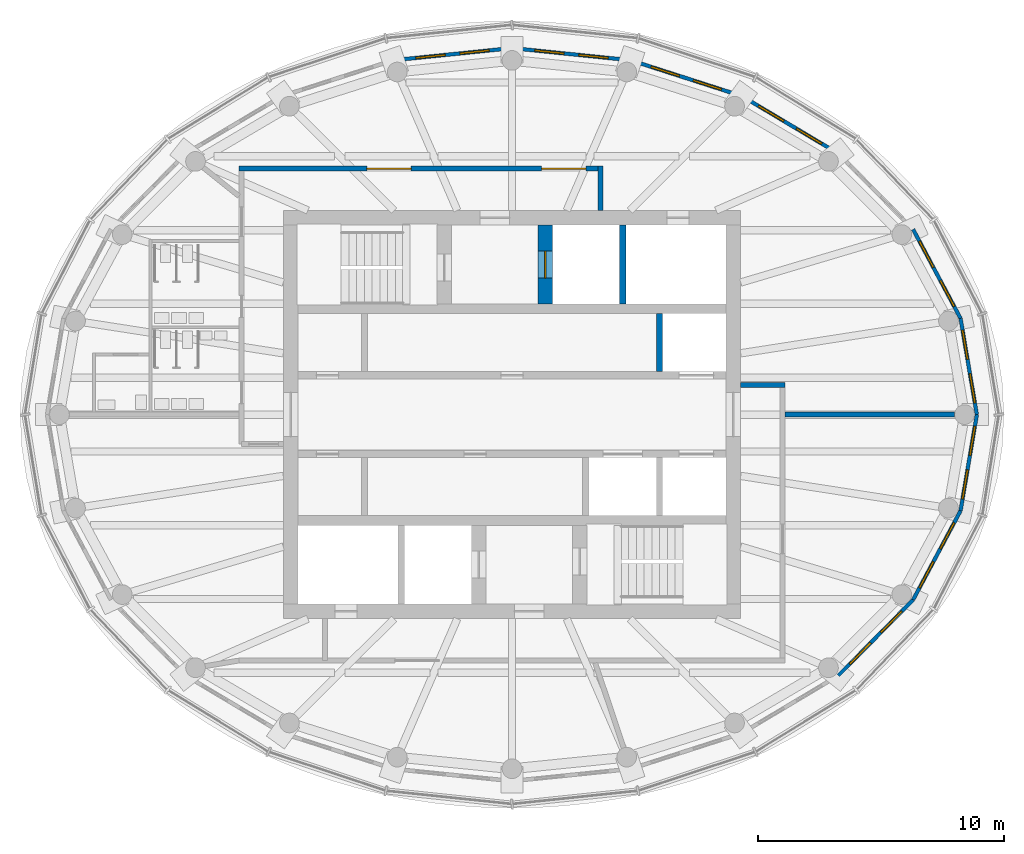
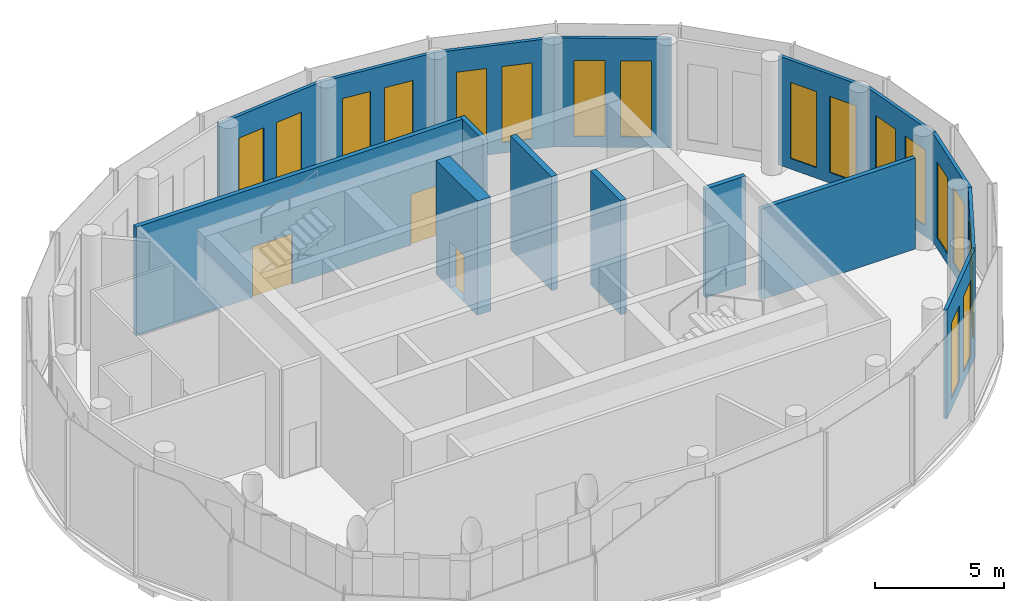
# One storey, part 7 of 11: 18 windows, 16 walls, 3 doors, 21 openings.
"""IFC4 building model written with IfcOpenShell, lengths in metres."""

from ifc_helpers import new_model, si_unit, direction, frame, frame_2d, origin, place, context, subcontext, project, spatial, rectangle, extrude, material, layer, layer_set, type_object, element, fill, save


model = new_model("IFC4")

# Units and contexts
model_context = context("Model", 3, precision=1e-05, world=origin(), true_north=direction((0.0, 1.0)))
body_context = subcontext(model_context, "Body", "Model", "MODEL_VIEW")
ifc_project = project(units=[si_unit("LENGTHUNIT", "METRE"), si_unit("AREAUNIT", "SQUARE_METRE"), si_unit("VOLUMEUNIT", "CUBIC_METRE"), si_unit("PLANEANGLEUNIT", "RADIAN"), si_unit("MASSUNIT", "GRAM", prefix="KILO")], contexts=[model_context])

# Site, building, storey
site_placement = place(None, origin())
site = spatial("IfcSite", under=ifc_project, at=site_placement, CompositionType="ELEMENT")
building_placement = place(site_placement, origin())
building = spatial("IfcBuilding", under=site, at=building_placement, Name="Hankou Lantern Tower", CompositionType="ELEMENT")
storey_placement = place(building_placement, frame((0.0, 0.0, 237.300048828125)))
storey = spatial("IfcBuildingStorey", under=building, at=storey_placement, Name="L64", CompositionType="ELEMENT", Elevation=237.300048828125)

# Wall, opening, door
ifc_material_1 = material(Name="Concrete C60", Category="concrete")
ifc_layer_1 = layer(ifc_material_1, 0.60009765625)
ifc_layer_set_1 = layer_set([ifc_layer_1], Name="Concrete C60")
wall_type_1 = type_object("IfcWallType", Name="CW6 STAIR AND SHAFT WALL 600", PredefinedType="SHEAR", material=ifc_layer_set_1)
wall_1_placement = place(storey_placement, frame((1.35009765625, 4.5, 0.0), z_axis=(0.0, 0.0, 1.0), x_axis=(0.0, 1.0, 0.0)))
wall_1 = element("IfcWall", 1, at=wall_1_placement, inside=storey, type_object=wall_type_1, Name="Firefighting lift shaft wall L64", PredefinedType="SHEAR", context=body_context, shape_type="SweptSolid", body=[
    extrude(rectangle(XDim=3.199951171875, YDim=0.60009765625, at=frame_2d((1.60009765625, 0.0))), origin(), (0.0, 0.0, 1.0), 5.39990234375),
])
opening_1_placement = place(wall_1_placement, frame((1.050048828125, 0.0, 0.0)))
opening_1 = element("IfcOpeningElement", 2, at=opening_1_placement, cuts=wall_1, Name="Opening LD2", PredefinedType="OPENING", context=body_context, shape_type="SweptSolid", body=[
    extrude(rectangle(XDim=1.10009765625, YDim=2.199951171875, at=frame_2d((0.550048828125, 1.10009765625))), frame((0.0, 0.31005859375, 0.0), z_axis=(0.0, -1.0, 0.0), x_axis=(1.0, 0.0, 0.0)), (0.0, 0.0, 1.0), 0.6201171875),
])
ifc_material_2 = material(Name="Steel door leaf", Category="steel")
door_type_1 = type_object("IfcDoorType", Name="LD2 FIREFIGHTING LIFT LANDING DOOR 1100X2200", OperationType="DOUBLE_DOOR_SLIDING", PredefinedType="DOOR", material=ifc_material_2)
door_1_placement = place(opening_1_placement, origin())
door_1 = element("IfcDoor", 3, at=door_1_placement, inside=storey, type_object=door_type_1, Name="Firefighting lift FL1 landing door", OperationType="DOUBLE_DOOR_SLIDING", OverallHeight=2.199951171875, OverallWidth=1.10009765625, PredefinedType="DOOR", context=body_context, shape_type="SweptSolid", body=[
    extrude(rectangle(XDim=1.10009765625, YDim=2.199951171875, at=frame_2d((0.550048828125, 1.10009765625))), frame((0.0, 0.02490234375, 0.0), z_axis=(0.0, -1.0, 0.0), x_axis=(1.0, 0.0, 0.0)), (0.0, 0.0, 1.0), 0.050048828125),
])
fill(opening_1, door_1)

# Wall, openings, windows
ifc_material_3 = material(Name="Aluminium spandrel panel on steel studs", Category="steel")
ifc_layer_2 = layer(ifc_material_3, 0.14990234375)
ifc_layer_set_2 = layer_set([ifc_layer_2], Name="Aluminium spandrel panel on steel studs")
wall_type_2 = type_object("IfcWallType", Name="EW1 INNER SKIN WALL 150", PredefinedType="ELEMENTEDWALL", material=ifc_layer_set_2)
wall_2_placement = place(storey_placement, frame((18.89990234375, 0.0, 0.0), z_axis=(0.0, 0.0, 1.0), x_axis=(-0.166984464914, 0.985959526795, 0.0)))
wall_2 = element("IfcWall", 4, at=wall_2_placement, inside=storey, type_object=wall_type_2, Name="Inner skin R01-R02 L64", PredefinedType="ELEMENTEDWALL", context=body_context, shape_type="SweptSolid", body=[
    extrude(rectangle(XDim=3.965087890625, YDim=0.14990234375, at=frame_2d((1.982421875, 0.0))), origin(), (0.0, 0.0, 1.0), 5.14990234375),
])
opening_2_placement = place(wall_2_placement, frame((0.482666015625, 0.0, 0.5)))
opening_2 = element("IfcOpeningElement", 5, at=opening_2_placement, cuts=wall_2, Name="Opening W7", PredefinedType="OPENING", context=body_context, shape_type="SweptSolid", body=[
    extrude(rectangle(XDim=1.199951171875, YDim=3.60009765625, at=frame_2d((0.60009765625, 1.800048828125))), frame((0.0, 0.0849609375, 0.0), z_axis=(0.0, -1.0, 0.0), x_axis=(1.0, 0.0, 0.0)), (0.0, 0.0, 1.0), 0.169921875),
])
opening_3_placement = place(wall_2_placement, frame((2.282470703125, 0.0, 0.5)))
opening_3 = element("IfcOpeningElement", 6, at=opening_3_placement, cuts=wall_2, Name="Opening W7", PredefinedType="OPENING", context=body_context, shape_type="SweptSolid", body=[
    extrude(rectangle(XDim=1.199951171875, YDim=3.60009765625, at=frame_2d((0.60009765625, 1.800048828125))), frame((0.0, 0.0849609375, 0.0), z_axis=(0.0, -1.0, 0.0), x_axis=(1.0, 0.0, 0.0)), (0.0, 0.0, 1.0), 0.169921875),
])
ifc_material_4 = material(Name="Aluminium framed double glazed window", Category="aluminium")
window_type = type_object("IfcWindowType", Name="W7 RESTAURANT WINDOW 1200X3600", PartitioningType="DOUBLE_PANEL_VERTICAL", PredefinedType="WINDOW", material=ifc_material_4)
window_1_placement = place(opening_2_placement, origin())
window_1 = element("IfcWindow", 7, at=window_1_placement, inside=storey, type_object=window_type, Name="Window R01.1 L64", OverallHeight=3.60009765625, OverallWidth=1.199951171875, PartitioningType="SINGLE_PANEL", PredefinedType="WINDOW", context=body_context, shape_type="SweptSolid", body=[
    extrude(rectangle(XDim=1.199951171875, YDim=3.60009765625, at=frame_2d((0.60009765625, 1.800048828125))), frame((0.0, 0.030029296875, 0.0), z_axis=(0.0, -1.0, 0.0), x_axis=(1.0, 0.0, 0.0)), (0.0, 0.0, 1.0), 0.06005859375),
])
fill(opening_2, window_1)
window_2_placement = place(opening_3_placement, origin())
window_2 = element("IfcWindow", 8, at=window_2_placement, inside=storey, type_object=window_type, Name="Window R01.2 L64", OverallHeight=3.60009765625, OverallWidth=1.199951171875, PartitioningType="SINGLE_PANEL", PredefinedType="WINDOW", context=body_context, shape_type="SweptSolid", body=[
    extrude(rectangle(XDim=1.199951171875, YDim=3.60009765625, at=frame_2d((0.60009765625, 1.800048828125))), frame((0.0, 0.030029296875, 0.0), z_axis=(0.0, -1.0, 0.0), x_axis=(1.0, 0.0, 0.0)), (0.0, 0.0, 1.0), 0.06005859375),
])
fill(opening_3, window_2)

wall_3_placement = place(storey_placement, frame((18.23779296875, 3.909423828125, 0.0), z_axis=(0.0, 0.0, 1.0), x_axis=(-0.470282591286, 0.882515883332, 0.0)))
wall_3 = element("IfcWall", 9, at=wall_3_placement, inside=storey, type_object=wall_type_2, Name="Inner skin R02-R03 L64", PredefinedType="ELEMENTEDWALL", context=body_context, shape_type="SweptSolid", body=[
    extrude(rectangle(XDim=4.104736328125, YDim=0.14990234375, at=frame_2d((2.05224609375, 0.0))), origin(), (0.0, 0.0, 1.0), 5.14990234375),
])
opening_4_placement = place(wall_3_placement, frame((0.552490234375, 0.0, 0.5)))
opening_4 = element("IfcOpeningElement", 10, at=opening_4_placement, cuts=wall_3, Name="Opening W7", PredefinedType="OPENING", context=body_context, shape_type="SweptSolid", body=[
    extrude(rectangle(XDim=1.199951171875, YDim=3.60009765625, at=frame_2d((0.60009765625, 1.800048828125))), frame((0.0, 0.0849609375, 0.0), z_axis=(0.0, -1.0, 0.0), x_axis=(1.0, 0.0, 0.0)), (0.0, 0.0, 1.0), 0.169921875),
])
opening_5_placement = place(wall_3_placement, frame((2.3525390625, 0.0, 0.5)))
opening_5 = element("IfcOpeningElement", 11, at=opening_5_placement, cuts=wall_3, Name="Opening W7", PredefinedType="OPENING", context=body_context, shape_type="SweptSolid", body=[
    extrude(rectangle(XDim=1.199951171875, YDim=3.60009765625, at=frame_2d((0.60009765625, 1.800048828125))), frame((0.0, 0.0849609375, 0.0), z_axis=(0.0, -1.0, 0.0), x_axis=(1.0, 0.0, 0.0)), (0.0, 0.0, 1.0), 0.169921875),
])
window_3_placement = place(opening_4_placement, origin())
window_3 = element("IfcWindow", 12, at=window_3_placement, inside=storey, type_object=window_type, Name="Window R02.1 L64", OverallHeight=3.60009765625, OverallWidth=1.199951171875, PartitioningType="SINGLE_PANEL", PredefinedType="WINDOW", context=body_context, shape_type="SweptSolid", body=[
    extrude(rectangle(XDim=1.199951171875, YDim=3.60009765625, at=frame_2d((0.60009765625, 1.800048828125))), frame((0.0, 0.030029296875, 0.0), z_axis=(0.0, -1.0, 0.0), x_axis=(1.0, 0.0, 0.0)), (0.0, 0.0, 1.0), 0.06005859375),
])
fill(opening_4, window_3)
window_4_placement = place(opening_5_placement, origin())
window_4 = element("IfcWindow", 13, at=window_4_placement, inside=storey, type_object=window_type, Name="Window R02.2 L64", OverallHeight=3.60009765625, OverallWidth=1.199951171875, PartitioningType="SINGLE_PANEL", PredefinedType="WINDOW", context=body_context, shape_type="SweptSolid", body=[
    extrude(rectangle(XDim=1.199951171875, YDim=3.60009765625, at=frame_2d((0.60009765625, 1.800048828125))), frame((0.0, 0.030029296875, 0.0), z_axis=(0.0, -1.0, 0.0), x_axis=(1.0, 0.0, 0.0)), (0.0, 0.0, 1.0), 0.06005859375),
])
fill(opening_5, window_4)

wall_4_placement = place(storey_placement, frame((13.26611328125, 10.61279296875, 0.0), z_axis=(0.0, 0.0, 1.0), x_axis=(-0.858849230109, 0.512228464594, 0.0)))
wall_4 = element("IfcWall", 14, at=wall_4_placement, inside=storey, type_object=wall_type_2, Name="Inner skin R04-R05 L64", PredefinedType="ELEMENTEDWALL", context=body_context, shape_type="SweptSolid", body=[
    extrude(rectangle(XDim=4.564208984375, YDim=0.14990234375, at=frame_2d((2.2822265625, 0.0))), origin(), (0.0, 0.0, 1.0), 5.14990234375),
])
opening_6_placement = place(wall_4_placement, frame((0.781982421875, 0.0, 0.5)))
opening_6 = element("IfcOpeningElement", 15, at=opening_6_placement, cuts=wall_4, Name="Opening W7", PredefinedType="OPENING", context=body_context, shape_type="SweptSolid", body=[
    extrude(rectangle(XDim=1.199951171875, YDim=3.60009765625, at=frame_2d((0.60009765625, 1.800048828125))), frame((0.0, 0.0849609375, 0.0), z_axis=(0.0, -1.0, 0.0), x_axis=(1.0, 0.0, 0.0)), (0.0, 0.0, 1.0), 0.169921875),
])
opening_7_placement = place(wall_4_placement, frame((2.58203125, 0.0, 0.5)))
opening_7 = element("IfcOpeningElement", 16, at=opening_7_placement, cuts=wall_4, Name="Opening W7", PredefinedType="OPENING", context=body_context, shape_type="SweptSolid", body=[
    extrude(rectangle(XDim=1.199951171875, YDim=3.60009765625, at=frame_2d((0.60009765625, 1.800048828125))), frame((0.0, 0.0849609375, 0.0), z_axis=(0.0, -1.0, 0.0), x_axis=(1.0, 0.0, 0.0)), (0.0, 0.0, 1.0), 0.169921875),
])
window_5_placement = place(opening_6_placement, origin())
window_5 = element("IfcWindow", 17, at=window_5_placement, inside=storey, type_object=window_type, Name="Window R04.1 L64", OverallHeight=3.60009765625, OverallWidth=1.199951171875, PartitioningType="SINGLE_PANEL", PredefinedType="WINDOW", context=body_context, shape_type="SweptSolid", body=[
    extrude(rectangle(XDim=1.199951171875, YDim=3.60009765625, at=frame_2d((0.60009765625, 1.800048828125))), frame((0.0, 0.030029296875, 0.0), z_axis=(0.0, -1.0, 0.0), x_axis=(1.0, 0.0, 0.0)), (0.0, 0.0, 1.0), 0.06005859375),
])
fill(opening_6, window_5)
window_6_placement = place(opening_7_placement, origin())
window_6 = element("IfcWindow", 18, at=window_6_placement, inside=storey, type_object=window_type, Name="Window R04.2 L64", OverallHeight=3.60009765625, OverallWidth=1.199951171875, PartitioningType="SINGLE_PANEL", PredefinedType="WINDOW", context=body_context, shape_type="SweptSolid", body=[
    extrude(rectangle(XDim=1.199951171875, YDim=3.60009765625, at=frame_2d((0.60009765625, 1.800048828125))), frame((0.0, 0.030029296875, 0.0), z_axis=(0.0, -1.0, 0.0), x_axis=(1.0, 0.0, 0.0)), (0.0, 0.0, 1.0), 0.06005859375),
])
fill(opening_7, window_6)

wall_5_placement = place(storey_placement, frame((9.34619140625, 12.95068359375, 0.0), z_axis=(0.0, 0.0, 1.0), x_axis=(-0.951881908824, 0.306465057804, 0.0)))
wall_5 = element("IfcWall", 19, at=wall_5_placement, inside=storey, type_object=wall_type_2, Name="Inner skin R05-R06 L64", PredefinedType="ELEMENTEDWALL", context=body_context, shape_type="SweptSolid", body=[
    extrude(rectangle(XDim=4.74951171875, YDim=0.14990234375, at=frame_2d((2.374755859375, 0.0))), origin(), (0.0, 0.0, 1.0), 5.14990234375),
])
opening_8_placement = place(wall_5_placement, frame((0.874755859375, 0.0, 0.5)))
opening_8 = element("IfcOpeningElement", 20, at=opening_8_placement, cuts=wall_5, Name="Opening W7", PredefinedType="OPENING", context=body_context, shape_type="SweptSolid", body=[
    extrude(rectangle(XDim=1.199951171875, YDim=3.60009765625, at=frame_2d((0.60009765625, 1.800048828125))), frame((0.0, 0.0849609375, 0.0), z_axis=(0.0, -1.0, 0.0), x_axis=(1.0, 0.0, 0.0)), (0.0, 0.0, 1.0), 0.169921875),
])
opening_9_placement = place(wall_5_placement, frame((2.6748046875, 0.0, 0.5)))
opening_9 = element("IfcOpeningElement", 21, at=opening_9_placement, cuts=wall_5, Name="Opening W7", PredefinedType="OPENING", context=body_context, shape_type="SweptSolid", body=[
    extrude(rectangle(XDim=1.199951171875, YDim=3.60009765625, at=frame_2d((0.60009765625, 1.800048828125))), frame((0.0, 0.0849609375, 0.0), z_axis=(0.0, -1.0, 0.0), x_axis=(1.0, 0.0, 0.0)), (0.0, 0.0, 1.0), 0.169921875),
])
window_7_placement = place(opening_8_placement, origin())
window_7 = element("IfcWindow", 22, at=window_7_placement, inside=storey, type_object=window_type, Name="Window R05.1 L64", OverallHeight=3.60009765625, OverallWidth=1.199951171875, PartitioningType="SINGLE_PANEL", PredefinedType="WINDOW", context=body_context, shape_type="SweptSolid", body=[
    extrude(rectangle(XDim=1.199951171875, YDim=3.60009765625, at=frame_2d((0.60009765625, 1.800048828125))), frame((0.0, 0.030029296875, 0.0), z_axis=(0.0, -1.0, 0.0), x_axis=(1.0, 0.0, 0.0)), (0.0, 0.0, 1.0), 0.06005859375),
])
fill(opening_8, window_7)
window_8_placement = place(opening_9_placement, origin())
window_8 = element("IfcWindow", 23, at=window_8_placement, inside=storey, type_object=window_type, Name="Window R05.2 L64", OverallHeight=3.60009765625, OverallWidth=1.199951171875, PartitioningType="SINGLE_PANEL", PredefinedType="WINDOW", context=body_context, shape_type="SweptSolid", body=[
    extrude(rectangle(XDim=1.199951171875, YDim=3.60009765625, at=frame_2d((0.60009765625, 1.800048828125))), frame((0.0, 0.030029296875, 0.0), z_axis=(0.0, -1.0, 0.0), x_axis=(1.0, 0.0, 0.0)), (0.0, 0.0, 1.0), 0.06005859375),
])
fill(opening_9, window_8)

wall_6_placement = place(storey_placement, frame((4.8251953125, 14.40625, 0.0), z_axis=(0.0, 0.0, 1.0), x_axis=(-0.994807343212, 0.10177597895, 0.0)))
wall_6 = element("IfcWall", 24, at=wall_6_placement, inside=storey, type_object=wall_type_2, Name="Inner skin R06-R07 L64", PredefinedType="ELEMENTEDWALL", context=body_context, shape_type="SweptSolid", body=[
    extrude(rectangle(XDim=4.850341796875, YDim=0.14990234375, at=frame_2d((2.42529296875, 0.0))), origin(), (0.0, 0.0, 1.0), 5.14990234375),
])
opening_10_placement = place(wall_6_placement, frame((0.92529296875, 0.0, 0.5)))
opening_10 = element("IfcOpeningElement", 25, at=opening_10_placement, cuts=wall_6, Name="Opening W7", PredefinedType="OPENING", context=body_context, shape_type="SweptSolid", body=[
    extrude(rectangle(XDim=1.199951171875, YDim=3.60009765625, at=frame_2d((0.60009765625, 1.800048828125))), frame((0.0, 0.0849609375, 0.0), z_axis=(0.0, -1.0, 0.0), x_axis=(1.0, 0.0, 0.0)), (0.0, 0.0, 1.0), 0.169921875),
])
opening_11_placement = place(wall_6_placement, frame((2.72509765625, 0.0, 0.5)))
opening_11 = element("IfcOpeningElement", 26, at=opening_11_placement, cuts=wall_6, Name="Opening W7", PredefinedType="OPENING", context=body_context, shape_type="SweptSolid", body=[
    extrude(rectangle(XDim=1.199951171875, YDim=3.60009765625, at=frame_2d((0.60009765625, 1.800048828125))), frame((0.0, 0.0849609375, 0.0), z_axis=(0.0, -1.0, 0.0), x_axis=(1.0, 0.0, 0.0)), (0.0, 0.0, 1.0), 0.169921875),
])
window_9_placement = place(opening_10_placement, origin())
window_9 = element("IfcWindow", 27, at=window_9_placement, inside=storey, type_object=window_type, Name="Window R06.1 L64", OverallHeight=3.60009765625, OverallWidth=1.199951171875, PartitioningType="SINGLE_PANEL", PredefinedType="WINDOW", context=body_context, shape_type="SweptSolid", body=[
    extrude(rectangle(XDim=1.199951171875, YDim=3.60009765625, at=frame_2d((0.60009765625, 1.800048828125))), frame((0.0, 0.030029296875, 0.0), z_axis=(0.0, -1.0, 0.0), x_axis=(1.0, 0.0, 0.0)), (0.0, 0.0, 1.0), 0.06005859375),
])
fill(opening_10, window_9)
window_10_placement = place(opening_11_placement, origin())
window_10 = element("IfcWindow", 28, at=window_10_placement, inside=storey, type_object=window_type, Name="Window R06.2 L64", OverallHeight=3.60009765625, OverallWidth=1.199951171875, PartitioningType="SINGLE_PANEL", PredefinedType="WINDOW", context=body_context, shape_type="SweptSolid", body=[
    extrude(rectangle(XDim=1.199951171875, YDim=3.60009765625, at=frame_2d((0.60009765625, 1.800048828125))), frame((0.0, 0.030029296875, 0.0), z_axis=(0.0, -1.0, 0.0), x_axis=(1.0, 0.0, 0.0)), (0.0, 0.0, 1.0), 0.06005859375),
])
fill(opening_11, window_10)

wall_7_placement = place(storey_placement, frame((0.0, 14.89990234375, 0.0), z_axis=(0.0, 0.0, 1.0), x_axis=(-0.994807343212, -0.10177597895, 0.0)))
wall_7 = element("IfcWall", 29, at=wall_7_placement, inside=storey, type_object=wall_type_2, Name="Inner skin R07-R08 L64", PredefinedType="ELEMENTEDWALL", context=body_context, shape_type="SweptSolid", body=[
    extrude(rectangle(XDim=4.850341796875, YDim=0.14990234375, at=frame_2d((2.42529296875, 0.0))), origin(), (0.0, 0.0, 1.0), 5.14990234375),
])
opening_12_placement = place(wall_7_placement, frame((0.92529296875, 0.0, 0.5)))
opening_12 = element("IfcOpeningElement", 30, at=opening_12_placement, cuts=wall_7, Name="Opening W7", PredefinedType="OPENING", context=body_context, shape_type="SweptSolid", body=[
    extrude(rectangle(XDim=1.199951171875, YDim=3.60009765625, at=frame_2d((0.60009765625, 1.800048828125))), frame((0.0, 0.0849609375, 0.0), z_axis=(0.0, -1.0, 0.0), x_axis=(1.0, 0.0, 0.0)), (0.0, 0.0, 1.0), 0.169921875),
])
opening_13_placement = place(wall_7_placement, frame((2.72509765625, 0.0, 0.5)))
opening_13 = element("IfcOpeningElement", 31, at=opening_13_placement, cuts=wall_7, Name="Opening W7", PredefinedType="OPENING", context=body_context, shape_type="SweptSolid", body=[
    extrude(rectangle(XDim=1.199951171875, YDim=3.60009765625, at=frame_2d((0.60009765625, 1.800048828125))), frame((0.0, 0.0849609375, 0.0), z_axis=(0.0, -1.0, 0.0), x_axis=(1.0, 0.0, 0.0)), (0.0, 0.0, 1.0), 0.169921875),
])
window_11_placement = place(opening_12_placement, origin())
window_11 = element("IfcWindow", 32, at=window_11_placement, inside=storey, type_object=window_type, Name="Window R07.1 L64", OverallHeight=3.60009765625, OverallWidth=1.199951171875, PartitioningType="SINGLE_PANEL", PredefinedType="WINDOW", context=body_context, shape_type="SweptSolid", body=[
    extrude(rectangle(XDim=1.199951171875, YDim=3.60009765625, at=frame_2d((0.60009765625, 1.800048828125))), frame((0.0, 0.030029296875, 0.0), z_axis=(0.0, -1.0, 0.0), x_axis=(1.0, 0.0, 0.0)), (0.0, 0.0, 1.0), 0.06005859375),
])
fill(opening_12, window_11)
window_12_placement = place(opening_13_placement, origin())
window_12 = element("IfcWindow", 33, at=window_12_placement, inside=storey, type_object=window_type, Name="Window R07.2 L64", OverallHeight=3.60009765625, OverallWidth=1.199951171875, PartitioningType="SINGLE_PANEL", PredefinedType="WINDOW", context=body_context, shape_type="SweptSolid", body=[
    extrude(rectangle(XDim=1.199951171875, YDim=3.60009765625, at=frame_2d((0.60009765625, 1.800048828125))), frame((0.0, 0.030029296875, 0.0), z_axis=(0.0, -1.0, 0.0), x_axis=(1.0, 0.0, 0.0)), (0.0, 0.0, 1.0), 0.06005859375),
])
fill(opening_13, window_12)

wall_8_placement = place(storey_placement, frame((13.26611328125, -10.61279296875, 0.0), z_axis=(0.0, 0.0, 1.0), x_axis=(0.702523956258, 0.711660095048, 0.0)))
wall_8 = element("IfcWall", 34, at=wall_8_placement, inside=storey, type_object=wall_type_2, Name="Inner skin R22-R23 L64", PredefinedType="ELEMENTEDWALL", context=body_context, shape_type="SweptSolid", body=[
    extrude(rectangle(XDim=4.3291015625, YDim=0.14990234375, at=frame_2d((2.16455078125, 0.0))), origin(), (0.0, 0.0, 1.0), 5.14990234375),
])
opening_14_placement = place(wall_8_placement, frame((0.66455078125, 0.0, 0.5)))
opening_14 = element("IfcOpeningElement", 35, at=opening_14_placement, cuts=wall_8, Name="Opening W7", PredefinedType="OPENING", context=body_context, shape_type="SweptSolid", body=[
    extrude(rectangle(XDim=1.199951171875, YDim=3.60009765625, at=frame_2d((0.60009765625, 1.800048828125))), frame((0.0, 0.0849609375, 0.0), z_axis=(0.0, -1.0, 0.0), x_axis=(1.0, 0.0, 0.0)), (0.0, 0.0, 1.0), 0.169921875),
])
opening_15_placement = place(wall_8_placement, frame((2.464599609375, 0.0, 0.5)))
opening_15 = element("IfcOpeningElement", 36, at=opening_15_placement, cuts=wall_8, Name="Opening W7", PredefinedType="OPENING", context=body_context, shape_type="SweptSolid", body=[
    extrude(rectangle(XDim=1.199951171875, YDim=3.60009765625, at=frame_2d((0.60009765625, 1.800048828125))), frame((0.0, 0.0849609375, 0.0), z_axis=(0.0, -1.0, 0.0), x_axis=(1.0, 0.0, 0.0)), (0.0, 0.0, 1.0), 0.169921875),
])
window_13_placement = place(opening_14_placement, origin())
window_13 = element("IfcWindow", 37, at=window_13_placement, inside=storey, type_object=window_type, Name="Window R22.1 L64", OverallHeight=3.60009765625, OverallWidth=1.199951171875, PartitioningType="SINGLE_PANEL", PredefinedType="WINDOW", context=body_context, shape_type="SweptSolid", body=[
    extrude(rectangle(XDim=1.199951171875, YDim=3.60009765625, at=frame_2d((0.60009765625, 1.800048828125))), frame((0.0, 0.030029296875, 0.0), z_axis=(0.0, -1.0, 0.0), x_axis=(1.0, 0.0, 0.0)), (0.0, 0.0, 1.0), 0.06005859375),
])
fill(opening_14, window_13)
window_14_placement = place(opening_15_placement, origin())
window_14 = element("IfcWindow", 38, at=window_14_placement, inside=storey, type_object=window_type, Name="Window R22.2 L64", OverallHeight=3.60009765625, OverallWidth=1.199951171875, PartitioningType="SINGLE_PANEL", PredefinedType="WINDOW", context=body_context, shape_type="SweptSolid", body=[
    extrude(rectangle(XDim=1.199951171875, YDim=3.60009765625, at=frame_2d((0.60009765625, 1.800048828125))), frame((0.0, 0.030029296875, 0.0), z_axis=(0.0, -1.0, 0.0), x_axis=(1.0, 0.0, 0.0)), (0.0, 0.0, 1.0), 0.06005859375),
])
fill(opening_15, window_14)

wall_9_placement = place(storey_placement, frame((16.307373046875, -7.531982421875, 0.0), z_axis=(0.0, 0.0, 1.0), x_axis=(0.470282591286, 0.882515883332, 0.0)))
wall_9 = element("IfcWall", 39, at=wall_9_placement, inside=storey, type_object=wall_type_2, Name="Inner skin R23-R24 L64", PredefinedType="ELEMENTEDWALL", context=body_context, shape_type="SweptSolid", body=[
    extrude(rectangle(XDim=4.104736328125, YDim=0.14990234375, at=frame_2d((2.05224609375, 0.0))), origin(), (0.0, 0.0, 1.0), 5.14990234375),
])
opening_16_placement = place(wall_9_placement, frame((0.552490234375, 0.0, 0.5)))
opening_16 = element("IfcOpeningElement", 40, at=opening_16_placement, cuts=wall_9, Name="Opening W7", PredefinedType="OPENING", context=body_context, shape_type="SweptSolid", body=[
    extrude(rectangle(XDim=1.199951171875, YDim=3.60009765625, at=frame_2d((0.60009765625, 1.800048828125))), frame((0.0, 0.0849609375, 0.0), z_axis=(0.0, -1.0, 0.0), x_axis=(1.0, 0.0, 0.0)), (0.0, 0.0, 1.0), 0.169921875),
])
opening_17_placement = place(wall_9_placement, frame((2.3525390625, 0.0, 0.5)))
opening_17 = element("IfcOpeningElement", 41, at=opening_17_placement, cuts=wall_9, Name="Opening W7", PredefinedType="OPENING", context=body_context, shape_type="SweptSolid", body=[
    extrude(rectangle(XDim=1.199951171875, YDim=3.60009765625, at=frame_2d((0.60009765625, 1.800048828125))), frame((0.0, 0.0849609375, 0.0), z_axis=(0.0, -1.0, 0.0), x_axis=(1.0, 0.0, 0.0)), (0.0, 0.0, 1.0), 0.169921875),
])
window_15_placement = place(opening_16_placement, origin())
window_15 = element("IfcWindow", 42, at=window_15_placement, inside=storey, type_object=window_type, Name="Window R23.1 L64", OverallHeight=3.60009765625, OverallWidth=1.199951171875, PartitioningType="SINGLE_PANEL", PredefinedType="WINDOW", context=body_context, shape_type="SweptSolid", body=[
    extrude(rectangle(XDim=1.199951171875, YDim=3.60009765625, at=frame_2d((0.60009765625, 1.800048828125))), frame((0.0, 0.030029296875, 0.0), z_axis=(0.0, -1.0, 0.0), x_axis=(1.0, 0.0, 0.0)), (0.0, 0.0, 1.0), 0.06005859375),
])
fill(opening_16, window_15)
window_16_placement = place(opening_17_placement, origin())
window_16 = element("IfcWindow", 43, at=window_16_placement, inside=storey, type_object=window_type, Name="Window R23.2 L64", OverallHeight=3.60009765625, OverallWidth=1.199951171875, PartitioningType="SINGLE_PANEL", PredefinedType="WINDOW", context=body_context, shape_type="SweptSolid", body=[
    extrude(rectangle(XDim=1.199951171875, YDim=3.60009765625, at=frame_2d((0.60009765625, 1.800048828125))), frame((0.0, 0.030029296875, 0.0), z_axis=(0.0, -1.0, 0.0), x_axis=(1.0, 0.0, 0.0)), (0.0, 0.0, 1.0), 0.06005859375),
])
fill(opening_17, window_16)

wall_10_placement = place(storey_placement, frame((18.23779296875, -3.909423828125, 0.0), z_axis=(0.0, 0.0, 1.0), x_axis=(0.166984464914, 0.985959526795, 0.0)))
wall_10 = element("IfcWall", 44, at=wall_10_placement, inside=storey, type_object=wall_type_2, Name="Inner skin R24-R01 L64", PredefinedType="ELEMENTEDWALL", context=body_context, shape_type="SweptSolid", body=[
    extrude(rectangle(XDim=3.965087890625, YDim=0.14990234375, at=frame_2d((1.982421875, 0.0))), origin(), (0.0, 0.0, 1.0), 5.14990234375),
])
opening_18_placement = place(wall_10_placement, frame((0.482666015625, 0.0, 0.5)))
opening_18 = element("IfcOpeningElement", 45, at=opening_18_placement, cuts=wall_10, Name="Opening W7", PredefinedType="OPENING", context=body_context, shape_type="SweptSolid", body=[
    extrude(rectangle(XDim=1.199951171875, YDim=3.60009765625, at=frame_2d((0.60009765625, 1.800048828125))), frame((0.0, 0.0849609375, 0.0), z_axis=(0.0, -1.0, 0.0), x_axis=(1.0, 0.0, 0.0)), (0.0, 0.0, 1.0), 0.169921875),
])
opening_19_placement = place(wall_10_placement, frame((2.282470703125, 0.0, 0.5)))
opening_19 = element("IfcOpeningElement", 46, at=opening_19_placement, cuts=wall_10, Name="Opening W7", PredefinedType="OPENING", context=body_context, shape_type="SweptSolid", body=[
    extrude(rectangle(XDim=1.199951171875, YDim=3.60009765625, at=frame_2d((0.60009765625, 1.800048828125))), frame((0.0, 0.0849609375, 0.0), z_axis=(0.0, -1.0, 0.0), x_axis=(1.0, 0.0, 0.0)), (0.0, 0.0, 1.0), 0.169921875),
])
window_17_placement = place(opening_18_placement, origin())
window_17 = element("IfcWindow", 47, at=window_17_placement, inside=storey, type_object=window_type, Name="Window R24.1 L64", OverallHeight=3.60009765625, OverallWidth=1.199951171875, PartitioningType="SINGLE_PANEL", PredefinedType="WINDOW", context=body_context, shape_type="SweptSolid", body=[
    extrude(rectangle(XDim=1.199951171875, YDim=3.60009765625, at=frame_2d((0.60009765625, 1.800048828125))), frame((0.0, 0.030029296875, 0.0), z_axis=(0.0, -1.0, 0.0), x_axis=(1.0, 0.0, 0.0)), (0.0, 0.0, 1.0), 0.06005859375),
])
fill(opening_18, window_17)
window_18_placement = place(opening_19_placement, origin())
window_18 = element("IfcWindow", 48, at=window_18_placement, inside=storey, type_object=window_type, Name="Window R24.2 L64", OverallHeight=3.60009765625, OverallWidth=1.199951171875, PartitioningType="SINGLE_PANEL", PredefinedType="WINDOW", context=body_context, shape_type="SweptSolid", body=[
    extrude(rectangle(XDim=1.199951171875, YDim=3.60009765625, at=frame_2d((0.60009765625, 1.800048828125))), frame((0.0, 0.030029296875, 0.0), z_axis=(0.0, -1.0, 0.0), x_axis=(1.0, 0.0, 0.0)), (0.0, 0.0, 1.0), 0.06005859375),
])
fill(opening_19, window_18)

# Wall, openings, doors
ifc_material_5 = material(Name="Masonry lightweight concrete block", Category="masonry")
ifc_layer_3 = layer(ifc_material_5, 0.199951171875)
ifc_layer_set_3 = layer_set([ifc_layer_3], Name="Masonry lightweight concrete block")
wall_type_3 = type_object("IfcWallType", Name="IW2 CORRIDOR WALL 200", PredefinedType="PARTITIONING", material=ifc_layer_set_3)
wall_11_placement = place(storey_placement, frame((-11.10009765625, 10.0, 0.0), z_axis=(0.0, 0.0, 1.0), x_axis=(1.0, 0.0, 0.0)))
wall_11 = element("IfcWall", 49, at=wall_11_placement, inside=storey, type_object=wall_type_3, Name="Corridor wall north", PredefinedType="PARTITIONING", context=body_context, shape_type="SweptSolid", body=[
    extrude(rectangle(XDim=14.7001953125, YDim=0.199951171875, at=frame_2d((7.35009765625, 0.0))), origin(), (0.0, 0.0, 1.0), 5.14990234375),
])
opening_20_placement = place(wall_11_placement, frame((5.199951171875, 0.0, 0.0)))
opening_20 = element("IfcOpeningElement", 50, at=opening_20_placement, cuts=wall_11, Name="Opening D8", PredefinedType="OPENING", context=body_context, shape_type="SweptSolid", body=[
    extrude(rectangle(XDim=1.800048828125, YDim=2.39990234375, at=frame_2d((0.89990234375, 1.199951171875))), frame((0.0, 0.10986328125, 0.0), z_axis=(0.0, -1.0, 0.0), x_axis=(1.0, 0.0, 0.0)), (0.0, 0.0, 1.0), 0.219970703125),
])
opening_21_placement = place(wall_11_placement, frame((12.300048828125, 0.0, 0.0)))
opening_21 = element("IfcOpeningElement", 51, at=opening_21_placement, cuts=wall_11, Name="Opening D8", PredefinedType="OPENING", context=body_context, shape_type="SweptSolid", body=[
    extrude(rectangle(XDim=1.800048828125, YDim=2.39990234375, at=frame_2d((0.89990234375, 1.199951171875))), frame((0.0, 0.10986328125, 0.0), z_axis=(0.0, -1.0, 0.0), x_axis=(1.0, 0.0, 0.0)), (0.0, 0.0, 1.0), 0.219970703125),
])
ifc_material_6 = material(Name="Steel door leaf", Category="steel")
door_type_2 = type_object("IfcDoorType", Name="D8 DOUBLE DOOR 1800X2400", OperationType="DOUBLE_DOOR_DOUBLE_SWING", PredefinedType="DOOR", material=ifc_material_6)
door_2_placement = place(opening_20_placement, origin())
door_2 = element("IfcDoor", 52, at=door_2_placement, inside=storey, type_object=door_type_2, Name="Sky restaurant door", OperationType="DOUBLE_DOOR_DOUBLE_SWING", OverallHeight=2.39990234375, OverallWidth=1.800048828125, PredefinedType="DOOR", context=body_context, shape_type="SweptSolid", body=[
    extrude(rectangle(XDim=1.800048828125, YDim=2.39990234375, at=frame_2d((0.89990234375, 1.199951171875))), frame((0.0, 0.02490234375, 0.0), z_axis=(0.0, -1.0, 0.0), x_axis=(1.0, 0.0, 0.0)), (0.0, 0.0, 1.0), 0.050048828125),
])
fill(opening_20, door_2)
door_3_placement = place(opening_21_placement, origin())
door_3 = element("IfcDoor", 53, at=door_3_placement, inside=storey, type_object=door_type_2, Name="Sky restaurant second door", OperationType="DOUBLE_DOOR_DOUBLE_SWING", OverallHeight=2.39990234375, OverallWidth=1.800048828125, PredefinedType="DOOR", context=body_context, shape_type="SweptSolid", body=[
    extrude(rectangle(XDim=1.800048828125, YDim=2.39990234375, at=frame_2d((0.89990234375, 1.199951171875))), frame((0.0, 0.02490234375, 0.0), z_axis=(0.0, -1.0, 0.0), x_axis=(1.0, 0.0, 0.0)), (0.0, 0.0, 1.0), 0.050048828125),
])
fill(opening_21, door_3)

# Walls
ifc_material_7 = material(Name="Masonry lightweight concrete block", Category="masonry")
ifc_layer_4 = layer(ifc_material_7, 0.199951171875)
ifc_layer_set_4 = layer_set([ifc_layer_4], Name="Masonry lightweight concrete block")
wall_type_4 = type_object("IfcWallType", Name="IW8 PARTITION 200", PredefinedType="PARTITIONING", material=ifc_layer_set_4)
wall_12_placement = place(storey_placement, frame((11.10009765625, 0.0, 0.0), z_axis=(0.0, 0.0, 1.0), x_axis=(1.0, 0.0, 0.0)))
element("IfcWall", 54, at=wall_12_placement, inside=storey, type_object=wall_type_4, Name="Partition R01", PredefinedType="PARTITIONING", context=body_context, shape_type="SweptSolid", body=[
    extrude(rectangle(XDim=6.89990234375, YDim=0.199951171875, at=frame_2d((3.449951171875, 0.0))), origin(), (0.0, 0.0, 1.0), 4.300048828125),
])
for number, where, z_axis, x_axis, name in (
    (55, (3.60009765625, 8.300048828125, 0.0), (0.0, 0.0, 1.0), (0.0, 1.0, 0.0), "Partition north ring"),
    (56, (9.300048828125, 1.199951171875, 0.0), (0.0, 0.0, 1.0), (1.0, 0.0, 0.0), "Partition east ring"),
):
    element("IfcWall", number, at=place(storey_placement, frame(where, z_axis=z_axis, x_axis=x_axis)), inside=storey, type_object=wall_type_4, Name=name, PredefinedType="PARTITIONING", context=body_context, shape_type="SweptSolid", body=[
        extrude(rectangle(XDim=1.800048828125, YDim=0.199951171875, at=frame_2d((0.89990234375, 0.0))), origin(), (0.0, 0.0, 1.0), 5.14990234375),
    ])
ifc_material_8 = material(Name="Masonry autoclaved aerated concrete block", Category="masonry")
ifc_layer_5 = layer(ifc_material_8, 0.25)
ifc_layer_set_5 = layer_set([ifc_layer_5], Name="Masonry autoclaved aerated concrete block")
wall_type_5 = type_object("IfcWallType", Name="SW1 SHAFT BLOCK WALL 250", PredefinedType="PARTITIONING", material=ifc_layer_set_5)
wall_13_placement = place(storey_placement, frame((4.5, 4.5, 0.0), z_axis=(0.0, 0.0, 1.0), x_axis=(0.0, 1.0, 0.0)))
element("IfcWall", 57, at=wall_13_placement, inside=storey, type_object=wall_type_5, Name="Riser wall L64", PredefinedType="PARTITIONING", context=body_context, shape_type="SweptSolid", body=[
    extrude(rectangle(XDim=3.199951171875, YDim=0.25, at=frame_2d((1.60009765625, 0.0))), origin(), (0.0, 0.0, 1.0), 5.39990234375),
])
wall_14_placement = place(storey_placement, frame((6.0, 1.75, 0.0), z_axis=(0.0, 0.0, 1.0), x_axis=(0.0, 1.0, 0.0)))
element("IfcWall", 58, at=wall_14_placement, inside=storey, type_object=wall_type_5, Name="Lift shaft wall L64", PredefinedType="PARTITIONING", context=body_context, shape_type="SweptSolid", body=[
    extrude(rectangle(XDim=2.35009765625, YDim=0.25, at=frame_2d((1.175048828125, 0.0))), origin(), (0.0, 0.0, 1.0), 5.39990234375),
])

save(model, "model.ifc")
